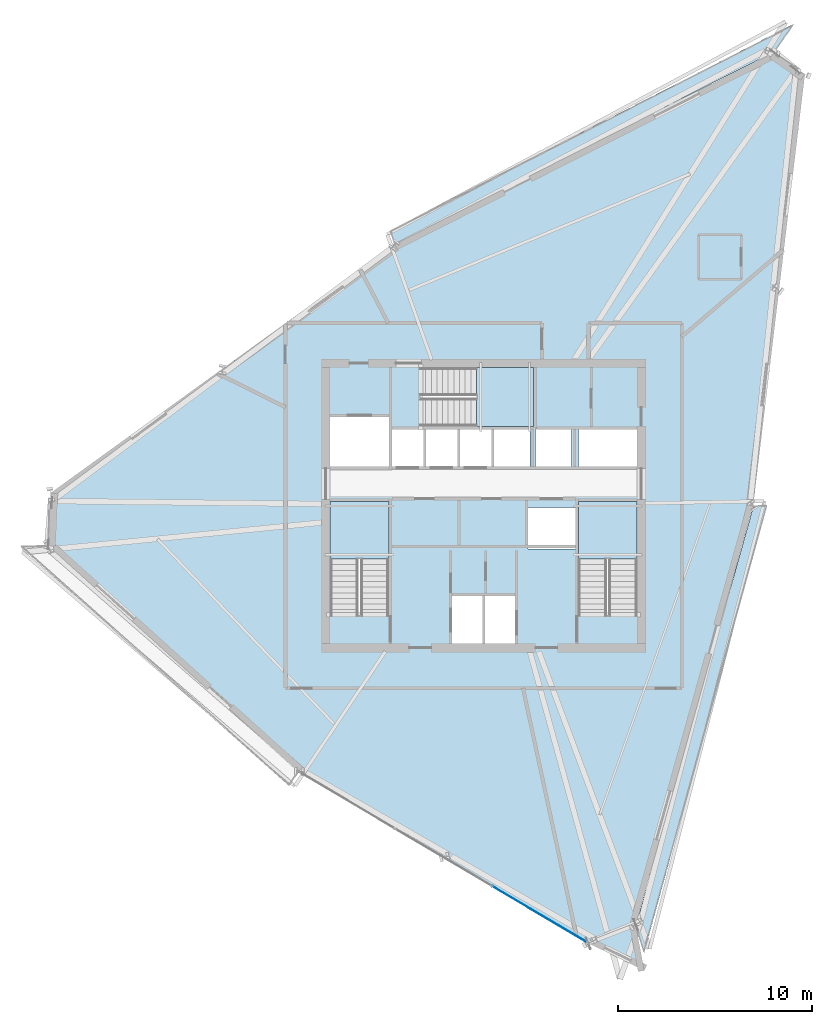
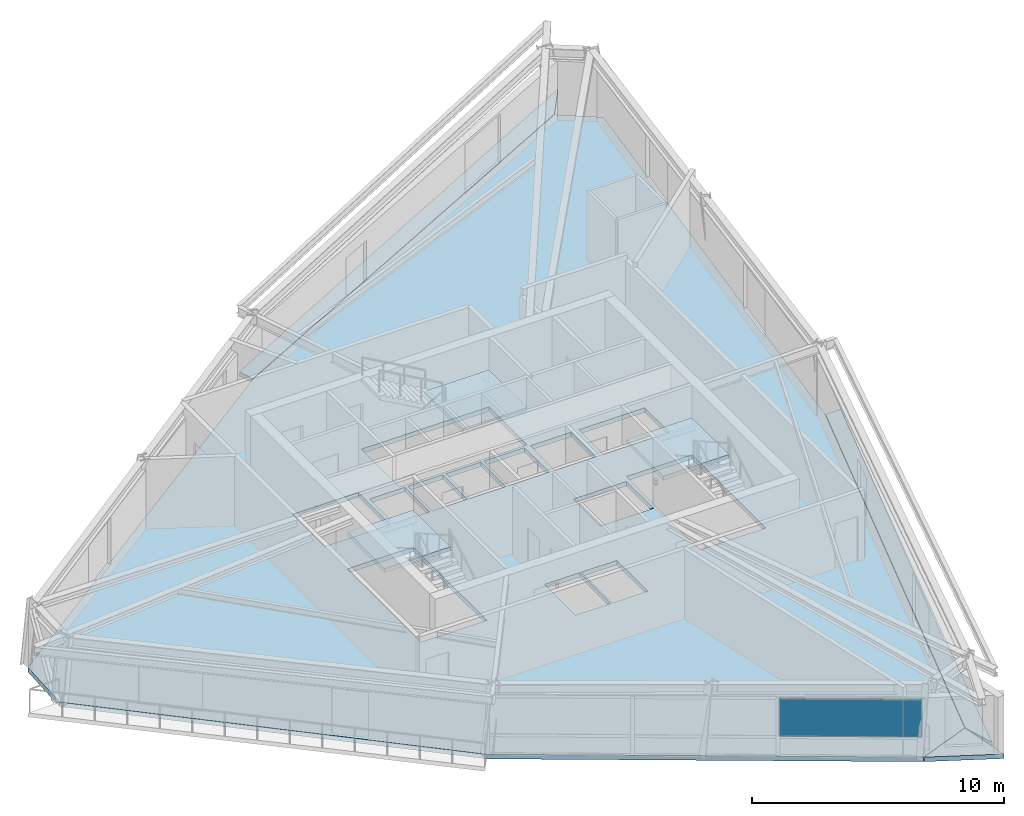
# One storey, part 6 of 14: 7 slabs, 1 plate, 4 elements without a shape of their own.
"""IFC4 building model written with IfcOpenShell, lengths in metres."""

from ifc_helpers import new_model, si_unit, direction, frame, origin, origin_2d, place, context, subcontext, project, spatial, polyline, rectangle, outline, extrude, source, transform, mapped, material, layer, layer_set, type_object, element, aggregate, save


model = new_model("IFC4")

# Units and contexts
model_context = context("Model", 3, precision=1e-05, world=origin(), true_north=direction((0.0, 1.0)))
body_context = subcontext(model_context, "Body", "Model", "MODEL_VIEW")
ifc_project = project(units=[si_unit("LENGTHUNIT", "METRE"), si_unit("AREAUNIT", "SQUARE_METRE"), si_unit("VOLUMEUNIT", "CUBIC_METRE"), si_unit("PLANEANGLEUNIT", "RADIAN"), si_unit("MASSUNIT", "GRAM", prefix="KILO")], contexts=[model_context])

# Site, building, storey
site_placement = place(None, origin())
site = spatial("IfcSite", under=ifc_project, at=site_placement, CompositionType="ELEMENT")
building_placement = place(site_placement, origin())
building = spatial("IfcBuilding", under=site, at=building_placement, Name="Olszyna Solenne Hotel", CompositionType="ELEMENT")
storey_placement = place(building_placement, frame((0.0, 0.0, 259.699951171875)))
storey = spatial("IfcBuildingStorey", under=building, at=storey_placement, Name="L69", CompositionType="ELEMENT", Elevation=259.699951171875)

# Stair, slab
ifc_material_1 = material(Name="Concrete C40/50", Category="concrete")
stair_type = type_object("IfcStairType", Name="STR-C1", PredefinedType="TWO_QUARTER_WINDING_STAIR", material=ifc_material_1)
stair_1_placement = place(storey_placement, origin())
stair_1 = element("IfcStair", 1, at=stair_1_placement, inside=storey, type_object=stair_type, Name="L69 ST1", PredefinedType="TWO_QUARTER_WINDING_STAIR")
ifc_layer_1 = layer(ifc_material_1, 0.18994140625, Name="Concrete C40/50")
ifc_layer_set_1 = layer_set([ifc_layer_1], Name="Concrete C40/50")
slab_type_1 = type_object("IfcSlabType", Name="SL-LN190", PredefinedType="LANDING", material=ifc_layer_set_1)
slab_1_placement = place(storey_placement, frame((0.0, 0.0, 1.60009765625)))
slab_1 = element("IfcSlab", 2, at=slab_1_placement, type_object=slab_type_1, Name="ST1 landing 1", PredefinedType="LANDING", context=body_context, shape_type="SweptSolid", body=[
    extrude(outline(polyline([(33.1201171875, 23.85009765625), (33.1201171875, 26.800048828125), (30.10009765625, 26.800048828125), (30.10009765625, 23.85009765625), (33.1201171875, 23.85009765625)])), origin(), (0.0, 0.0, 1.0), 0.199951171875),
])
aggregate(stair_1, [slab_1])

stair_2_placement = place(storey_placement, origin())
stair_2 = element("IfcStair", 3, at=stair_2_placement, inside=storey, type_object=stair_type, Name="L69 ST2", PredefinedType="TWO_QUARTER_WINDING_STAIR")
slab_2_placement = place(storey_placement, frame((0.0, 0.0, 1.60009765625)))
slab_2 = element("IfcSlab", 4, at=slab_2_placement, type_object=slab_type_1, Name="ST2 landing 1", PredefinedType="LANDING", context=body_context, shape_type="SweptSolid", body=[
    extrude(outline(polyline([(45.89990234375, 23.85009765625), (45.89990234375, 26.800048828125), (42.8798828125, 26.800048828125), (42.8798828125, 23.85009765625), (45.89990234375, 23.85009765625)])), origin(), (0.0, 0.0, 1.0), 0.199951171875),
])
aggregate(stair_2, [slab_2])

stair_3_placement = place(storey_placement, origin())
stair_3 = element("IfcStair", 5, at=stair_3_placement, inside=storey, type_object=stair_type, Name="L69 ST3", PredefinedType="TWO_QUARTER_WINDING_STAIR")
slab_3_placement = place(storey_placement, frame((0.0, 0.0, 1.60009765625)))
slab_3 = element("IfcSlab", 6, at=slab_3_placement, type_object=slab_type_1, Name="ST3 landing 1", PredefinedType="LANDING", context=body_context, shape_type="SweptSolid", body=[
    extrude(outline(polyline([(37.6298828125, 30.679931640625), (40.580078125, 30.679931640625), (40.580078125, 33.699951171875), (37.6298828125, 33.699951171875), (37.6298828125, 30.679931640625)])), origin(), (0.0, 0.0, 1.0), 0.199951171875),
])
aggregate(stair_3, [slab_3])

# Slabs
ifc_material_2 = material(Name="Precast concrete C45/55", Category="concrete")
ifc_layer_2 = layer(ifc_material_2, 0.199951171875, Name="Precast concrete C45/55")
ifc_layer_set_2 = layer_set([ifc_layer_2], Name="Precast concrete C45/55")
slab_type_2 = type_object("IfcSlabType", Name="SL-LOG200", PredefinedType="FLOOR", material=ifc_layer_set_2)
slab_4_placement = place(storey_placement, frame((0.0, 0.0, -0.199951171875)))
element("IfcSlab", 7, at=slab_4_placement, inside=storey, type_object=slab_type_2, Name="Exterior loggia balcony slab SL-L69-LG1", PredefinedType="FLOOR", context=body_context, shape_type="SweptSolid", body=[
    extrude(outline(polyline([(33.42138671875, 40.06982421875), (52.931396484375, 49.938232421875), (52.932861328125, 49.93896484375), (52.934326171875, 49.939208984375), (52.935791015625, 49.939697265625), (52.937255859375, 49.93994140625), (52.938720703125, 49.93994140625), (52.940185546875, 49.939697265625), (52.94140625, 49.939453125), (52.943115234375, 49.939208984375), (52.9443359375, 49.938720703125), (52.945556640625, 49.93798828125), (52.94677734375, 49.937255859375), (53.95166015625, 51.389404296875), (33.206787109375, 40.76904296875), (33.42138671875, 40.06982421875)])), origin(), (0.0, 0.0, 1.0), 0.199951171875),
])
slab_5_placement = place(storey_placement, frame((0.0, 0.0, -0.199951171875)))
element("IfcSlab", 8, at=slab_5_placement, inside=storey, type_object=slab_type_2, Name="Exterior loggia balcony slab SL-L69-LG3", PredefinedType="FLOOR", context=body_context, shape_type="SweptSolid", body=[
    extrude(outline(polyline([(51.8896484375, 26.575439453125), (51.889404296875, 26.5732421875), (51.88916015625, 26.572265625), (51.888916015625, 26.571044921875), (45.84326171875, 5.015869140625), (45.8671875, 4.887939453125), (46.265869140625, 3.589111328125), (52.60009765625, 26.59375), (51.8896484375, 26.575439453125)])), origin(), (0.0, 0.0, 1.0), 0.199951171875),
])
ifc_material_3 = material(Name="Concrete C50/60", Category="concrete")
ifc_layer_3 = layer(ifc_material_3, 0.219970703125, Name="Concrete C50/60")
ifc_layer_set_3 = layer_set([ifc_layer_3], Name="Concrete C50/60")
slab_type_3 = type_object("IfcSlabType", Name="SL-TW225", PredefinedType="FLOOR", material=ifc_layer_set_3)
slab_6_placement = place(storey_placement, frame((0.0, 0.0, -0.219970703125)))
element("IfcSlab", 9, at=slab_6_placement, inside=storey, type_object=slab_type_3, Name="Floor slab SL-TW225 SL-L69-01", PredefinedType="FLOOR", context=body_context, shape_type="SweptSolid", body=[
    extrude(outline(polyline([(54.53857421875, 48.806396484375), (52.938232421875, 49.9248046875), (33.42578125, 40.05517578125), (15.707763671875, 27.240478515625), (15.58984375, 24.537353515625), (28.4716796875, 12.9169921875), (43.39794921875, 4.073974609375), (45.827880859375, 5.0166015625), (51.87451171875, 26.5751953125), (54.53857421875, 48.806396484375)]), holes=[polyline([(30.10009765625, 20.949951171875), (33.1201171875, 20.949951171875), (33.1201171875, 26.800048828125), (30.10009765625, 26.800048828125), (30.10009765625, 20.949951171875)]), polyline([(42.8798828125, 20.949951171875), (45.89990234375, 20.949951171875), (45.89990234375, 26.800048828125), (42.8798828125, 26.800048828125), (42.8798828125, 20.949951171875)]), polyline([(34.72998046875, 30.679931640625), (40.580078125, 30.679931640625), (40.580078125, 33.699951171875), (34.72998046875, 33.699951171875), (34.72998046875, 30.679931640625)]), polyline([(36.340087890625, 19.5), (37.9599609375, 19.5), (37.9599609375, 21.9599609375), (36.340087890625, 21.9599609375), (36.340087890625, 19.5)]), polyline([(38.0400390625, 19.5), (39.659912109375, 19.5), (39.659912109375, 21.9599609375), (38.0400390625, 21.9599609375), (38.0400390625, 19.5)]), polyline([(30.10009765625, 28.60009765625), (33.1201171875, 28.60009765625), (33.1201171875, 31.159912109375), (30.10009765625, 31.159912109375), (30.10009765625, 28.60009765625)]), polyline([(40.280029296875, 24.360107421875), (42.719970703125, 24.360107421875), (42.719970703125, 26.5), (40.280029296875, 26.5), (40.280029296875, 24.360107421875)]), polyline([(33.280029296875, 28.60009765625), (34.89990234375, 28.60009765625), (34.89990234375, 30.550048828125), (33.280029296875, 30.550048828125), (33.280029296875, 28.60009765625)]), polyline([(35.030029296875, 28.60009765625), (36.64990234375, 28.60009765625), (36.64990234375, 30.550048828125), (35.030029296875, 30.550048828125), (35.030029296875, 28.60009765625)]), polyline([(36.780029296875, 28.60009765625), (38.39990234375, 28.60009765625), (38.39990234375, 30.550048828125), (36.780029296875, 30.550048828125), (36.780029296875, 28.60009765625)]), polyline([(38.530029296875, 28.60009765625), (40.389892578125, 28.60009765625), (40.389892578125, 30.550048828125), (38.530029296875, 30.550048828125), (38.530029296875, 28.60009765625)]), polyline([(40.659912109375, 28.60009765625), (42.52001953125, 28.60009765625), (42.52001953125, 30.550048828125), (40.659912109375, 30.550048828125), (40.659912109375, 28.60009765625)]), polyline([(42.8798828125, 28.60009765625), (45.89990234375, 28.60009765625), (45.89990234375, 30.550048828125), (42.8798828125, 30.550048828125), (42.8798828125, 28.60009765625)])]), origin(), (0.0, 0.0, 1.0), 0.219970703125),
])
slab_7_placement = place(storey_placement, frame((0.0, 0.0, -0.219970703125)))
element("IfcSlab", 10, at=slab_7_placement, inside=storey, type_object=slab_type_3, Name="Faceted glass-prism floor slab SL-L69-PR", PredefinedType="FLOOR", context=body_context, shape_type="SweptSolid", body=[
    extrude(outline(polyline([(45.82958984375, 5.006591796875), (43.41015625, 4.068115234375), (46.27001953125, 2.66748046875), (45.82958984375, 5.006591796875)])), origin(), (0.0, 0.0, 1.0), 0.219970703125),
])

# Curtain wall, plate
ifc_material_4 = material(Name="Anodised bronze aluminium", Category="aluminium")
curtain_wall_type = type_object("IfcCurtainWallType", Name="CW-SYS-4", PredefinedType="NOTDEFINED", material=ifc_material_4)
curtain_wall_placement = place(storey_placement, origin())
curtain_wall = element("IfcCurtainWall", 11, at=curtain_wall_placement, inside=storey, type_object=curtain_wall_type, Name="Unitised curtain wall CW-SYS-4 CW-L69-01", PredefinedType="NOTDEFINED")
ifc_material_5 = material(Name="Low-E triple glazing", Category="glass")
plate_type = type_object("IfcPlateType", Name="PN-GL1", PredefinedType="CURTAIN_PANEL", material=ifc_material_5)
shared_shape = source(origin(), body_context, "Body", "SweptSolid", [
    extrude(rectangle(XDim=5.685546875, YDim=0.035888671875, at=origin_2d()), origin(), (0.0, 0.0, 1.0), 1.824462890625),
])
plate_placement = place(storey_placement, frame((40.896240234375, 5.55615234375, 0.982421875), z_axis=(0.0, 0.0, 1.0), x_axis=(0.860347050618, -0.509708693758, 0.0)))
plate = element("IfcPlate", 12, at=plate_placement, type_object=plate_type, Name="Curtain-wall panel PN-GL1 CP-L69-01-06", PredefinedType="CURTAIN_PANEL", context=body_context, shape_type="MappedRepresentation", body=[
    mapped(shared_shape, transform((0.0, 0.0, 0.0), x_axis=(1.0, 0.0, 0.0), y_axis=(0.0, 1.0, 0.0), z_axis=(0.0, 0.0, 1.0), scale=1.0)),
])
aggregate(curtain_wall, [plate])

save(model, "model.ifc")
